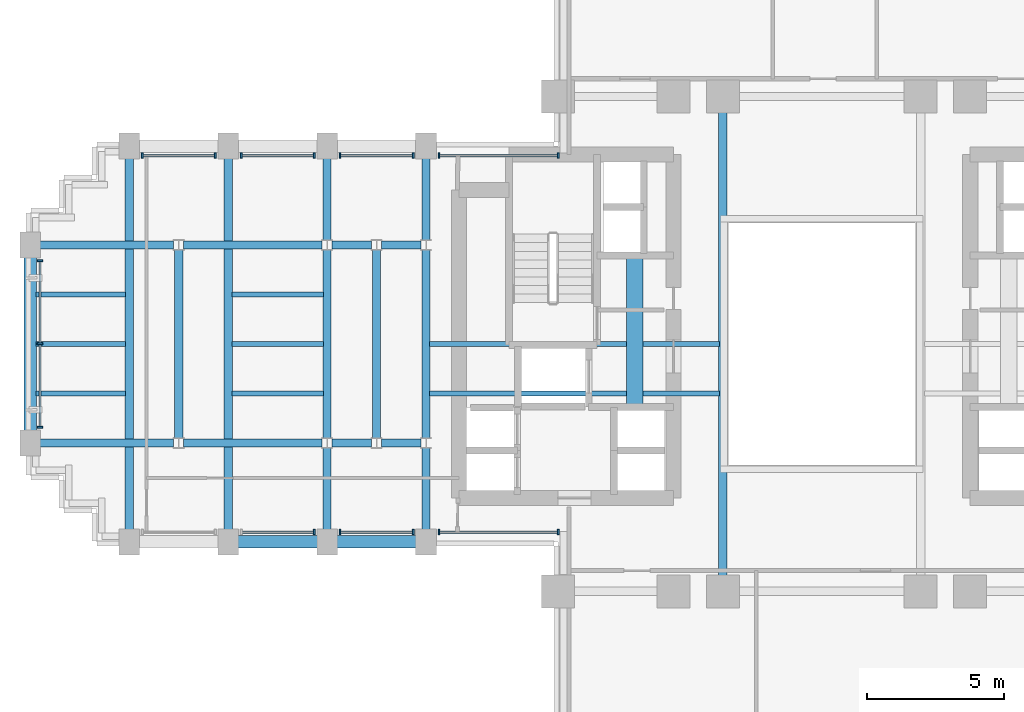
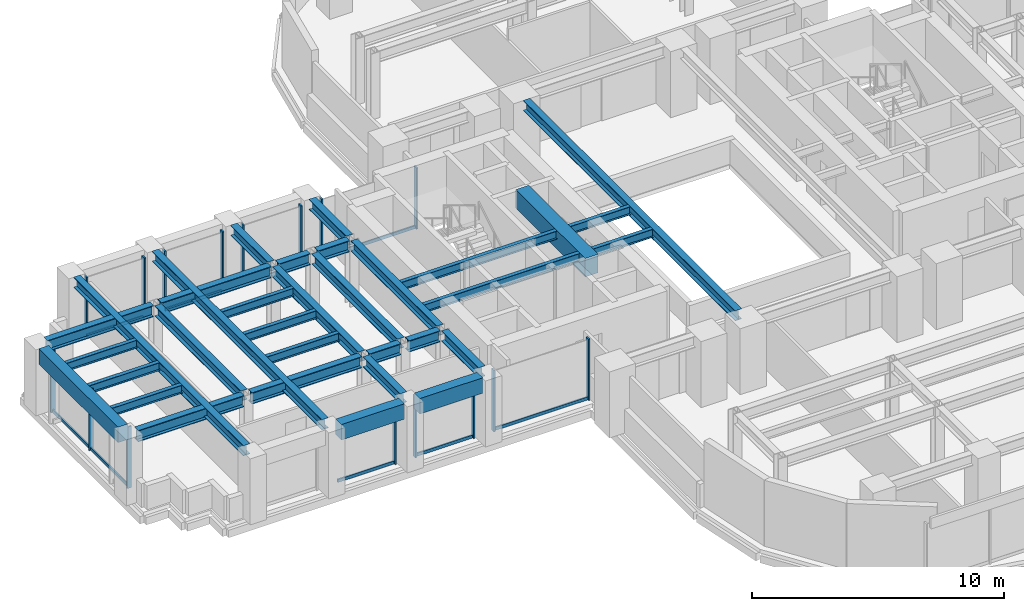
# One storey, part 4 of 16: 31 beams, 25 members, 8 elements without a shape of their own.
"""IFC4 building model written with IfcOpenShell, lengths in metres."""

from ifc_helpers import new_model, si_unit, direction, frame, origin, origin_2d, place, context, subcontext, project, spatial, rectangle, i_section, extrude, source, transform, mapped, material, material_profile, profile_set, type_object, element, aggregate, save


model = new_model("IFC4")

# Units and contexts
model_context = context("Model", 3, precision=1e-05, world=origin(), true_north=direction((0.0, 1.0)))
body_context = subcontext(model_context, "Body", "Model", "MODEL_VIEW")
ifc_project = project(units=[si_unit("LENGTHUNIT", "METRE"), si_unit("AREAUNIT", "SQUARE_METRE"), si_unit("VOLUMEUNIT", "CUBIC_METRE"), si_unit("PLANEANGLEUNIT", "RADIAN"), si_unit("MASSUNIT", "GRAM", prefix="KILO")], contexts=[model_context])

# Site, building, storey
site_placement = place(None, origin())
site = spatial("IfcSite", under=ifc_project, at=site_placement, CompositionType="ELEMENT")
building_placement = place(site_placement, origin())
building = spatial("IfcBuilding", under=site, at=building_placement, Name="Keilestroom Media Tower", CompositionType="ELEMENT")
storey_placement = place(building_placement, frame((0.0, 0.0, 37.39990234375)))
storey = spatial("IfcBuildingStorey", under=building, at=storey_placement, Name="L08", CompositionType="ELEMENT", Elevation=37.39990234375)

# Beams
ifc_material_1 = material(Name="Concrete C70/85", Category="concrete")
ifc_material_profile_1 = material_profile(ifc_material_1, rectangle(XDim=0.60009765625, YDim=0.89990234375, at=origin_2d()), Name="RC 600x900")
ifc_profile_set_1 = profile_set([ifc_material_profile_1], Name="Concrete C70/85")
beam_type_1 = type_object("IfcBeamType", Name="Core-Coupling-Lintel-Beam-RC-600x900", PredefinedType="LINTEL", material=ifc_profile_set_1)
shared_shape_1 = source(origin(), body_context, "Body", "SweptSolid", [
    extrude(rectangle(XDim=0.60009765625, YDim=0.89990234375, at=origin_2d()), origin(), (0.0, 0.0, 1.0), 5.52001953125),
])
beam_1_placement = place(storey_placement, frame((-6.800048828125, -2.300048828125, 2.75), z_axis=(0.0, 1.0, 0.0), x_axis=(-1.0, 0.0, 0.0)))
element("IfcBeam", 1, at=beam_1_placement, inside=storey, type_object=beam_type_1, Name="L08 Beam CLB-1 CLB-L08-W", PredefinedType="LINTEL", context=body_context, shape_type="MappedRepresentation", body=[
    mapped(shared_shape_1, transform((0.0, 0.0, 0.0), x_axis=(1.0, 0.0, 0.0), y_axis=(0.0, 1.0, 0.0), z_axis=(0.0, 0.0, 1.0), scale=1.0)),
])
ifc_material_2 = material(Name="Precast concrete C40/50", Category="concrete")
ifc_material_profile_2 = material_profile(ifc_material_2, rectangle(XDim=0.449951171875, YDim=0.75, at=origin_2d()), Name="PC 450x750")
ifc_profile_set_2 = profile_set([ifc_material_profile_2], Name="Precast concrete C40/50")
beam_type_2 = type_object("IfcBeamType", Name="Perimeter-Spandrel-Beam-PC-450x750", PredefinedType="SPANDREL", material=ifc_profile_set_2)
shared_shape_2 = source(origin(), body_context, "Body", "SweptSolid", [
    extrude(rectangle(XDim=0.449951171875, YDim=0.75, at=origin_2d()), origin(), (0.0, 0.0, 1.0), 6.2900390625),
])
beam_2_placement = place(storey_placement, frame((-28.800048828125, -3.14501953125, 2.8251953125), z_axis=(0.0, 1.0, 0.0), x_axis=(-1.0, 0.0, 0.0)))
element("IfcBeam", 2, at=beam_2_placement, inside=storey, type_object=beam_type_2, Name="L08 Beam SPB-1 BM-L08-NS-051", PredefinedType="SPANDREL", context=body_context, shape_type="MappedRepresentation", body=[
    mapped(shared_shape_2, transform((0.0, 0.0, 0.0), x_axis=(1.0, 0.0, 0.0), y_axis=(0.0, 1.0, 0.0), z_axis=(0.0, 0.0, 1.0), scale=1.0)),
])
shared_shape_3 = source(origin(), body_context, "Body", "SweptSolid", [
    extrude(rectangle(XDim=0.449951171875, YDim=0.75, at=origin_2d()), origin(), (0.0, 0.0, 1.0), 2.89013671875),
])
for number, where, z_axis, x_axis, name in (
    (3, (-21.2451171875, -7.199951171875, 2.8251953125), (1.0, 0.0, 0.0), (0.0, 1.0, 0.0), "L08 Beam SPB-1 BM-L08-EW-013"),
    (4, (-17.64501953125, -7.199951171875, 2.8251953125), (1.0, 0.0, 0.0), (0.0, 1.0, 0.0), "L08 Beam SPB-1 BM-L08-EW-014"),
):
    element("IfcBeam", number, at=place(storey_placement, frame(where, z_axis=z_axis, x_axis=x_axis)), inside=storey, type_object=beam_type_2, Name=name, PredefinedType="SPANDREL", context=body_context, shape_type="MappedRepresentation", body=[
        mapped(shared_shape_3, transform((0.0, 0.0, 0.0), x_axis=(1.0, 0.0, 0.0), y_axis=(0.0, 1.0, 0.0), z_axis=(0.0, 0.0, 1.0), scale=1.0)),
    ])
ifc_material_3 = material(Name="Steel S355", Category="steel")
ifc_material_profile_3 = material_profile(ifc_material_3, i_section(OverallWidth=0.300048828125, OverallDepth=0.550048828125, WebThickness=0.012939453125, FlangeThickness=0.029052734375, at=origin_2d()), Name="HEB 550")
ifc_profile_set_3 = profile_set([ifc_material_profile_3], Name="Steel S355")
beam_type_3 = type_object("IfcBeamType", Name="Primary-Structural-Girder-HEB-550", PredefinedType="BEAM", material=ifc_profile_set_3)
shared_shape_4 = source(origin(), body_context, "Body", "SweptSolid", [
    extrude(i_section(OverallWidth=0.300048828125, OverallDepth=0.550048828125, WebThickness=0.012939453125, FlangeThickness=0.029052734375, at=origin_2d()), origin(), (0.0, 0.0, 1.0), 4.863037109375),
])
for number, where, z_axis, x_axis, name in (
    (5, (-28.445068359375, -3.60009765625, 2.925048828125), (1.0, 0.0, 0.0), (0.0, 1.0, 0.0), "L08 Beam BG-5 BM-L08-EW-018"),
    (6, (-28.445068359375, 3.60009765625, 2.925048828125), (1.0, 0.0, 0.0), (0.0, 1.0, 0.0), "L08 Beam BG-5 BM-L08-EW-026"),
):
    element("IfcBeam", number, at=place(storey_placement, frame(where, z_axis=z_axis, x_axis=x_axis)), inside=storey, type_object=beam_type_3, Name=name, PredefinedType="BEAM", context=body_context, shape_type="MappedRepresentation", body=[
        mapped(shared_shape_4, transform((0.0, 0.0, 0.0), x_axis=(1.0, 0.0, 0.0), y_axis=(0.0, 1.0, 0.0), z_axis=(0.0, 0.0, 1.0), scale=1.0)),
    ])
shared_shape_5 = source(origin(), body_context, "Body", "SweptSolid", [
    extrude(i_section(OverallWidth=0.300048828125, OverallDepth=0.550048828125, WebThickness=0.012939453125, FlangeThickness=0.029052734375, at=origin_2d()), origin(), (0.0, 0.0, 1.0), 5.0361328125),
])
for number, where, z_axis, x_axis, name in (
    (7, (-23.218017578125, -3.60009765625, 2.925048828125), (1.0, 0.0, 0.0), (0.0, 1.0, 0.0), "L08 Beam BG-5 BM-L08-EW-019"),
    (8, (-23.218017578125, 3.60009765625, 2.925048828125), (1.0, 0.0, 0.0), (0.0, 1.0, 0.0), "L08 Beam BG-5 BM-L08-EW-027"),
):
    element("IfcBeam", number, at=place(storey_placement, frame(where, z_axis=z_axis, x_axis=x_axis)), inside=storey, type_object=beam_type_3, Name=name, PredefinedType="BEAM", context=body_context, shape_type="MappedRepresentation", body=[
        mapped(shared_shape_5, transform((0.0, 0.0, 0.0), x_axis=(1.0, 0.0, 0.0), y_axis=(0.0, 1.0, 0.0), z_axis=(0.0, 0.0, 1.0), scale=1.0)),
    ])
shared_shape_6 = source(origin(), body_context, "Body", "SweptSolid", [
    extrude(i_section(OverallWidth=0.300048828125, OverallDepth=0.550048828125, WebThickness=0.012939453125, FlangeThickness=0.029052734375, at=origin_2d()), origin(), (0.0, 0.0, 1.0), 1.43603515625),
])
for number, where, z_axis, x_axis, name in (
    (9, (-17.818115234375, -3.60009765625, 2.925048828125), (1.0, 0.0, 0.0), (0.0, 1.0, 0.0), "L08 Beam BG-5 BM-L08-EW-020"),
    (10, (-16.01806640625, -3.60009765625, 2.925048828125), (1.0, 0.0, 0.0), (0.0, 1.0, 0.0), "L08 Beam BG-5 BM-L08-EW-021"),
    (11, (-17.818115234375, 3.60009765625, 2.925048828125), (1.0, 0.0, 0.0), (0.0, 1.0, 0.0), "L08 Beam BG-5 BM-L08-EW-028"),
    (12, (-16.01806640625, 3.60009765625, 2.925048828125), (1.0, 0.0, 0.0), (0.0, 1.0, 0.0), "L08 Beam BG-5 BM-L08-EW-029"),
):
    element("IfcBeam", number, at=place(storey_placement, frame(where, z_axis=z_axis, x_axis=x_axis)), inside=storey, type_object=beam_type_3, Name=name, PredefinedType="BEAM", context=body_context, shape_type="MappedRepresentation", body=[
        mapped(shared_shape_6, transform((0.0, 0.0, 0.0), x_axis=(1.0, 0.0, 0.0), y_axis=(0.0, 1.0, 0.0), z_axis=(0.0, 0.0, 1.0), scale=1.0)),
    ])
ifc_material_profile_4 = material_profile(ifc_material_3, i_section(OverallWidth=0.300048828125, OverallDepth=0.5, WebThickness=0.012451171875, FlangeThickness=0.028076171875, at=origin_2d()), Name="HEB 500")
ifc_profile_set_4 = profile_set([ifc_material_profile_4], Name="Steel S355")
beam_type_4 = type_object("IfcBeamType", Name="Primary-Structural-Girder-HEB-500", PredefinedType="BEAM", material=ifc_profile_set_4)
shared_shape_7 = source(origin(), body_context, "Body", "SweptSolid", [
    extrude(i_section(OverallWidth=0.300048828125, OverallDepth=0.5, WebThickness=0.012451171875, FlangeThickness=0.028076171875, at=origin_2d()), origin(), (0.0, 0.0, 1.0), 13.490234375),
])
for number, where, z_axis, x_axis, name in (
    (13, (-25.199951171875, -6.7451171875, 2.9501953125), (0.0, 1.0, 0.0), (-1.0, 0.0, 0.0), "L08 Beam BG-6 BM-L08-NS-052"),
    (14, (-21.60009765625, -6.7451171875, 2.9501953125), (0.0, 1.0, 0.0), (-1.0, 0.0, 0.0), "L08 Beam BG-6 BM-L08-NS-054"),
):
    element("IfcBeam", number, at=place(storey_placement, frame(where, z_axis=z_axis, x_axis=x_axis)), inside=storey, type_object=beam_type_4, Name=name, PredefinedType="BEAM", context=body_context, shape_type="MappedRepresentation", body=[
        mapped(shared_shape_7, transform((0.0, 0.0, 0.0), x_axis=(1.0, 0.0, 0.0), y_axis=(0.0, 1.0, 0.0), z_axis=(0.0, 0.0, 1.0), scale=1.0)),
    ])
shared_shape_8 = source(origin(), body_context, "Body", "SweptSolid", [
    extrude(i_section(OverallWidth=0.300048828125, OverallDepth=0.5, WebThickness=0.012451171875, FlangeThickness=0.028076171875, at=origin_2d()), origin(), (0.0, 0.0, 1.0), 6.8330078125),
])
for number, where, z_axis, x_axis, name in (
    (15, (-23.39990234375, -3.41650390625, 2.9501953125), (0.0, 1.0, 0.0), (-1.0, 0.0, 0.0), "L08 Beam BG-6 BM-L08-NS-053"),
    (16, (-18.0, -3.41650390625, 2.9501953125), (0.0, 1.0, 0.0), (-1.0, 0.0, 0.0), "L08 Beam BG-6 BM-L08-NS-056"),
    (17, (-16.199951171875, -3.41650390625, 2.9501953125), (0.0, 1.0, 0.0), (-1.0, 0.0, 0.0), "L08 Beam BG-6 BM-L08-NS-058"),
    (18, (-14.39990234375, -3.41650390625, 2.9501953125), (0.0, 1.0, 0.0), (-1.0, 0.0, 0.0), "L08 Beam BG-6 BM-L08-NS-060"),
):
    element("IfcBeam", number, at=place(storey_placement, frame(where, z_axis=z_axis, x_axis=x_axis)), inside=storey, type_object=beam_type_4, Name=name, PredefinedType="BEAM", context=body_context, shape_type="MappedRepresentation", body=[
        mapped(shared_shape_8, transform((0.0, 0.0, 0.0), x_axis=(1.0, 0.0, 0.0), y_axis=(0.0, 1.0, 0.0), z_axis=(0.0, 0.0, 1.0), scale=1.0)),
    ])
shared_shape_9 = source(origin(), body_context, "Body", "SweptSolid", [
    extrude(i_section(OverallWidth=0.300048828125, OverallDepth=0.5, WebThickness=0.012451171875, FlangeThickness=0.028076171875, at=origin_2d()), origin(), (0.0, 0.0, 1.0), 2.961669921875),
])
for number, where, z_axis, x_axis, name in (
    (19, (-18.0, -6.7451171875, 2.9501953125), (0.0, 1.0, 0.0), (-1.0, 0.0, 0.0), "L08 Beam BG-6 BM-L08-NS-055"),
    (20, (-18.0, 3.783447265625, 2.9501953125), (0.0, 1.0, 0.0), (-1.0, 0.0, 0.0), "L08 Beam BG-6 BM-L08-NS-057"),
    (21, (-14.39990234375, -6.7451171875, 2.9501953125), (0.0, 1.0, 0.0), (-1.0, 0.0, 0.0), "L08 Beam BG-6 BM-L08-NS-059"),
    (22, (-14.39990234375, 3.783447265625, 2.9501953125), (0.0, 1.0, 0.0), (-1.0, 0.0, 0.0), "L08 Beam BG-6 BM-L08-NS-061"),
):
    element("IfcBeam", number, at=place(storey_placement, frame(where, z_axis=z_axis, x_axis=x_axis)), inside=storey, type_object=beam_type_4, Name=name, PredefinedType="BEAM", context=body_context, shape_type="MappedRepresentation", body=[
        mapped(shared_shape_9, transform((0.0, 0.0, 0.0), x_axis=(1.0, 0.0, 0.0), y_axis=(0.0, 1.0, 0.0), z_axis=(0.0, 0.0, 1.0), scale=1.0)),
    ])
shared_shape_10 = source(origin(), body_context, "Body", "SweptSolid", [
    extrude(i_section(OverallWidth=0.300048828125, OverallDepth=0.5, WebThickness=0.012451171875, FlangeThickness=0.028076171875, at=origin_2d()), origin(), (0.0, 0.0, 1.0), 16.83984375),
])
beam_3_placement = place(storey_placement, frame((-3.60009765625, -8.419921875, 2.9501953125), z_axis=(0.0, 1.0, 0.0), x_axis=(-1.0, 0.0, 0.0)))
element("IfcBeam", 23, at=beam_3_placement, inside=storey, type_object=beam_type_4, Name="L08 Beam BG-6 BM-L08-NS-066", PredefinedType="BEAM", context=body_context, shape_type="MappedRepresentation", body=[
    mapped(shared_shape_10, transform((0.0, 0.0, 0.0), x_axis=(1.0, 0.0, 0.0), y_axis=(0.0, 1.0, 0.0), z_axis=(0.0, 0.0, 1.0), scale=1.0)),
])
ifc_material_profile_5 = material_profile(ifc_material_3, i_section(OverallWidth=0.179931640625, OverallDepth=0.39990234375, WebThickness=0.008544921875, FlangeThickness=0.013427734375, at=origin_2d()), Name="IPE 400")
ifc_profile_set_5 = profile_set([ifc_material_profile_5], Name="Steel S355")
beam_type_5 = type_object("IfcBeamType", Name="Secondary-Floor-Joist-IPE-400", PredefinedType="JOIST", material=ifc_profile_set_5)
shared_shape_11 = source(origin(), body_context, "Body", "SweptSolid", [
    extrude(i_section(OverallWidth=0.179931640625, OverallDepth=0.39990234375, WebThickness=0.008544921875, FlangeThickness=0.013427734375, at=origin_2d()), origin(), (0.0, 0.0, 1.0), 3.264892578125),
])
for number, where, z_axis, x_axis, name in (
    (24, (-28.594970703125, -1.800048828125, 3.0), (1.0, 0.0, 0.0), (0.0, 1.0, 0.0), "L08 Beam BJ-4 JST-L08-089"),
    (25, (-28.594970703125, 0.0, 3.0), (1.0, 0.0, 0.0), (0.0, 1.0, 0.0), "L08 Beam BJ-4 JST-L08-096"),
    (26, (-28.594970703125, 1.800048828125, 3.0), (1.0, 0.0, 0.0), (0.0, 1.0, 0.0), "L08 Beam BJ-4 JST-L08-103"),
):
    element("IfcBeam", number, at=place(storey_placement, frame(where, z_axis=z_axis, x_axis=x_axis)), inside=storey, type_object=beam_type_5, Name=name, PredefinedType="JOIST", context=body_context, shape_type="MappedRepresentation", body=[
        mapped(shared_shape_11, transform((0.0, 0.0, 0.0), x_axis=(1.0, 0.0, 0.0), y_axis=(0.0, 1.0, 0.0), z_axis=(0.0, 0.0, 1.0), scale=1.0)),
    ])
shared_shape_12 = source(origin(), body_context, "Body", "SweptSolid", [
    extrude(i_section(OverallWidth=0.179931640625, OverallDepth=0.39990234375, WebThickness=0.008544921875, FlangeThickness=0.013427734375, at=origin_2d()), origin(), (0.0, 0.0, 1.0), 3.340087890625),
])
for number, where, z_axis, x_axis, name in (
    (27, (-21.469970703125, -1.800048828125, 3.0), (1.0, 0.0, 0.0), (0.0, 1.0, 0.0), "L08 Beam BJ-4 JST-L08-090"),
    (28, (-21.469970703125, 0.0, 3.0), (1.0, 0.0, 0.0), (0.0, 1.0, 0.0), "L08 Beam BJ-4 JST-L08-097"),
    (29, (-21.469970703125, 1.800048828125, 3.0), (1.0, 0.0, 0.0), (0.0, 1.0, 0.0), "L08 Beam BJ-4 JST-L08-104"),
):
    element("IfcBeam", number, at=place(storey_placement, frame(where, z_axis=z_axis, x_axis=x_axis)), inside=storey, type_object=beam_type_5, Name=name, PredefinedType="JOIST", context=body_context, shape_type="MappedRepresentation", body=[
        mapped(shared_shape_12, transform((0.0, 0.0, 0.0), x_axis=(1.0, 0.0, 0.0), y_axis=(0.0, 1.0, 0.0), z_axis=(0.0, 0.0, 1.0), scale=1.0)),
    ])
shared_shape_13 = source(origin(), body_context, "Body", "SweptSolid", [
    extrude(i_section(OverallWidth=0.179931640625, OverallDepth=0.39990234375, WebThickness=0.008544921875, FlangeThickness=0.013427734375, at=origin_2d()), origin(), (0.0, 0.0, 1.0), 10.5400390625),
])
for number, where, z_axis, x_axis, name in (
    (30, (-14.27001953125, -1.800048828125, 3.0), (1.0, 0.0, 0.0), (0.0, 1.0, 0.0), "L08 Beam BJ-4 JST-L08-091"),
    (31, (-14.27001953125, 0.0, 3.0), (1.0, 0.0, 0.0), (0.0, 1.0, 0.0), "L08 Beam BJ-4 JST-L08-098"),
):
    element("IfcBeam", number, at=place(storey_placement, frame(where, z_axis=z_axis, x_axis=x_axis)), inside=storey, type_object=beam_type_5, Name=name, PredefinedType="JOIST", context=body_context, shape_type="MappedRepresentation", body=[
        mapped(shared_shape_13, transform((0.0, 0.0, 0.0), x_axis=(1.0, 0.0, 0.0), y_axis=(0.0, 1.0, 0.0), z_axis=(0.0, 0.0, 1.0), scale=1.0)),
    ])

# Curtain wall, members
ifc_material_4 = material(Name="Anodised Aluminium Alloy", Category="aluminium")
curtain_wall_type = type_object("IfcCurtainWallType", Name="Unitised-Curtain-Wall-CW-1", PredefinedType="NOTDEFINED", material=ifc_material_4)
curtain_wall_1_placement = place(storey_placement, origin())
curtain_wall_1 = element("IfcCurtainWall", 32, at=curtain_wall_1_placement, inside=storey, type_object=curtain_wall_type, Name="L08 Curtain Wall CW-1 CW-L08-W-1", PredefinedType="NOTDEFINED")
ifc_material_profile_6 = material_profile(ifc_material_4, rectangle(XDim=0.070068359375, YDim=0.199951171875, at=origin_2d()), Name="ALU MULLION 70x200")
ifc_profile_set_6 = profile_set([ifc_material_profile_6], Name="Anodised Aluminium Alloy")
member_type_1 = type_object("IfcMemberType", Name="Curtain-Wall-Mullion-CW-1", PredefinedType="MULLION", material=ifc_profile_set_6)
shared_shape_14 = source(origin(), body_context, "Body", "SweptSolid", [
    extrude(rectangle(XDim=0.070068359375, YDim=0.199951171875, at=origin_2d()), origin(), (0.0, 0.0, 1.0), 2.97998046875),
])
member_1_placement = place(storey_placement, frame((-28.449951171875, -3.030029296875, 0.0), z_axis=(0.0, 0.0, 1.0), x_axis=(0.0, 1.0, 0.0)))
member_1 = element("IfcMember", 33, at=member_1_placement, type_object=member_type_1, Name="CW-1 Mullion 00", PredefinedType="MULLION", context=body_context, shape_type="MappedRepresentation", body=[
    mapped(shared_shape_14, transform((0.0, 0.0, 0.0), x_axis=(1.0, 0.0, 0.0), y_axis=(0.0, 1.0, 0.0), z_axis=(0.0, 0.0, 1.0), scale=1.0)),
])
member_2_placement = place(storey_placement, frame((-28.449951171875, 0.0, 0.0), z_axis=(0.0, 0.0, 1.0), x_axis=(0.0, 1.0, 0.0)))
member_2 = element("IfcMember", 34, at=member_2_placement, type_object=member_type_1, Name="CW-1 Mullion 01", PredefinedType="MULLION", context=body_context, shape_type="MappedRepresentation", body=[
    mapped(shared_shape_14, transform((0.0, 0.0, 0.0), x_axis=(1.0, 0.0, 0.0), y_axis=(0.0, 1.0, 0.0), z_axis=(0.0, 0.0, 1.0), scale=1.0)),
])
member_3_placement = place(storey_placement, frame((-28.449951171875, 3.030029296875, 0.0), z_axis=(0.0, 0.0, 1.0), x_axis=(0.0, 1.0, 0.0)))
member_3 = element("IfcMember", 35, at=member_3_placement, type_object=member_type_1, Name="CW-1 Mullion 02", PredefinedType="MULLION", context=body_context, shape_type="MappedRepresentation", body=[
    mapped(shared_shape_14, transform((0.0, 0.0, 0.0), x_axis=(1.0, 0.0, 0.0), y_axis=(0.0, 1.0, 0.0), z_axis=(0.0, 0.0, 1.0), scale=1.0)),
])

curtain_wall_2_placement = place(storey_placement, origin())
curtain_wall_2 = element("IfcCurtainWall", 36, at=curtain_wall_2_placement, inside=storey, type_object=curtain_wall_type, Name="L08 Curtain Wall CW-1 CW-L08-NW-1", PredefinedType="NOTDEFINED")
member_4_placement = place(storey_placement, frame((-24.72998046875, 6.85009765625, 0.0), z_axis=(0.0, 0.0, 1.0), x_axis=(1.0, 0.0, 0.0)))
member_4 = element("IfcMember", 37, at=member_4_placement, type_object=member_type_1, Name="CW-1 Mullion 00", PredefinedType="MULLION", context=body_context, shape_type="MappedRepresentation", body=[
    mapped(shared_shape_14, transform((0.0, 0.0, 0.0), x_axis=(1.0, 0.0, 0.0), y_axis=(0.0, 1.0, 0.0), z_axis=(0.0, 0.0, 1.0), scale=1.0)),
])
member_5_placement = place(storey_placement, frame((-22.070068359375, 6.85009765625, 0.0), z_axis=(0.0, 0.0, 1.0), x_axis=(1.0, 0.0, 0.0)))
member_5 = element("IfcMember", 38, at=member_5_placement, type_object=member_type_1, Name="CW-1 Mullion 01", PredefinedType="MULLION", context=body_context, shape_type="MappedRepresentation", body=[
    mapped(shared_shape_14, transform((0.0, 0.0, 0.0), x_axis=(1.0, 0.0, 0.0), y_axis=(0.0, 1.0, 0.0), z_axis=(0.0, 0.0, 1.0), scale=1.0)),
])

curtain_wall_3_placement = place(storey_placement, origin())
curtain_wall_3 = element("IfcCurtainWall", 39, at=curtain_wall_3_placement, inside=storey, type_object=curtain_wall_type, Name="L08 Curtain Wall CW-1 CW-L08-NW-2", PredefinedType="NOTDEFINED")
member_6_placement = place(storey_placement, frame((-21.1298828125, 6.85009765625, 0.0), z_axis=(0.0, 0.0, 1.0), x_axis=(1.0, 0.0, 0.0)))
member_6 = element("IfcMember", 40, at=member_6_placement, type_object=member_type_1, Name="CW-1 Mullion 00", PredefinedType="MULLION", context=body_context, shape_type="MappedRepresentation", body=[
    mapped(shared_shape_14, transform((0.0, 0.0, 0.0), x_axis=(1.0, 0.0, 0.0), y_axis=(0.0, 1.0, 0.0), z_axis=(0.0, 0.0, 1.0), scale=1.0)),
])
member_7_placement = place(storey_placement, frame((-18.469970703125, 6.85009765625, 0.0), z_axis=(0.0, 0.0, 1.0), x_axis=(1.0, 0.0, 0.0)))
member_7 = element("IfcMember", 41, at=member_7_placement, type_object=member_type_1, Name="CW-1 Mullion 01", PredefinedType="MULLION", context=body_context, shape_type="MappedRepresentation", body=[
    mapped(shared_shape_14, transform((0.0, 0.0, 0.0), x_axis=(1.0, 0.0, 0.0), y_axis=(0.0, 1.0, 0.0), z_axis=(0.0, 0.0, 1.0), scale=1.0)),
])

curtain_wall_4_placement = place(storey_placement, origin())
curtain_wall_4 = element("IfcCurtainWall", 42, at=curtain_wall_4_placement, inside=storey, type_object=curtain_wall_type, Name="L08 Curtain Wall CW-1 CW-L08-NW-3", PredefinedType="NOTDEFINED")
member_8_placement = place(storey_placement, frame((-17.530029296875, 6.85009765625, 0.0), z_axis=(0.0, 0.0, 1.0), x_axis=(1.0, 0.0, 0.0)))
member_8 = element("IfcMember", 43, at=member_8_placement, type_object=member_type_1, Name="CW-1 Mullion 00", PredefinedType="MULLION", context=body_context, shape_type="MappedRepresentation", body=[
    mapped(shared_shape_14, transform((0.0, 0.0, 0.0), x_axis=(1.0, 0.0, 0.0), y_axis=(0.0, 1.0, 0.0), z_axis=(0.0, 0.0, 1.0), scale=1.0)),
])
member_9_placement = place(storey_placement, frame((-14.8701171875, 6.85009765625, 0.0), z_axis=(0.0, 0.0, 1.0), x_axis=(1.0, 0.0, 0.0)))
member_9 = element("IfcMember", 44, at=member_9_placement, type_object=member_type_1, Name="CW-1 Mullion 01", PredefinedType="MULLION", context=body_context, shape_type="MappedRepresentation", body=[
    mapped(shared_shape_14, transform((0.0, 0.0, 0.0), x_axis=(1.0, 0.0, 0.0), y_axis=(0.0, 1.0, 0.0), z_axis=(0.0, 0.0, 1.0), scale=1.0)),
])

curtain_wall_5_placement = place(storey_placement, origin())
curtain_wall_5 = element("IfcCurtainWall", 45, at=curtain_wall_5_placement, inside=storey, type_object=curtain_wall_type, Name="L08 Curtain Wall CW-1 CW-L08-NW-4", PredefinedType="NOTDEFINED")
member_10_placement = place(storey_placement, frame((-13.929931640625, 6.85009765625, 0.0), z_axis=(0.0, 0.0, 1.0), x_axis=(1.0, 0.0, 0.0)))
member_10 = element("IfcMember", 46, at=member_10_placement, type_object=member_type_1, Name="CW-1 Mullion 00", PredefinedType="MULLION", context=body_context, shape_type="MappedRepresentation", body=[
    mapped(shared_shape_14, transform((0.0, 0.0, 0.0), x_axis=(1.0, 0.0, 0.0), y_axis=(0.0, 1.0, 0.0), z_axis=(0.0, 0.0, 1.0), scale=1.0)),
])
member_11_placement = place(storey_placement, frame((-9.5849609375, 6.85009765625, 0.0), z_axis=(0.0, 0.0, 1.0), x_axis=(1.0, 0.0, 0.0)))
member_11 = element("IfcMember", 47, at=member_11_placement, type_object=member_type_1, Name="CW-1 Mullion 01", PredefinedType="MULLION", context=body_context, shape_type="MappedRepresentation", body=[
    mapped(shared_shape_14, transform((0.0, 0.0, 0.0), x_axis=(1.0, 0.0, 0.0), y_axis=(0.0, 1.0, 0.0), z_axis=(0.0, 0.0, 1.0), scale=1.0)),
])

# Curtain wall, member
curtain_wall_6_placement = place(storey_placement, origin())
curtain_wall_6 = element("IfcCurtainWall", 48, at=curtain_wall_6_placement, inside=storey, type_object=curtain_wall_type, Name="L08 Curtain Wall CW-1 CW-L08-SW-2", PredefinedType="NOTDEFINED")
member_12_placement = place(storey_placement, frame((-18.469970703125, -6.85009765625, 0.0), z_axis=(0.0, 0.0, 1.0), x_axis=(1.0, 0.0, 0.0)))
member_12 = element("IfcMember", 49, at=member_12_placement, type_object=member_type_1, Name="CW-1 Mullion 01", PredefinedType="MULLION", context=body_context, shape_type="MappedRepresentation", body=[
    mapped(shared_shape_14, transform((0.0, 0.0, 0.0), x_axis=(1.0, 0.0, 0.0), y_axis=(0.0, 1.0, 0.0), z_axis=(0.0, 0.0, 1.0), scale=1.0)),
])

# Curtain wall, members
curtain_wall_7_placement = place(storey_placement, origin())
curtain_wall_7 = element("IfcCurtainWall", 50, at=curtain_wall_7_placement, inside=storey, type_object=curtain_wall_type, Name="L08 Curtain Wall CW-1 CW-L08-SW-3", PredefinedType="NOTDEFINED")
member_13_placement = place(storey_placement, frame((-17.530029296875, -6.85009765625, 0.0), z_axis=(0.0, 0.0, 1.0), x_axis=(1.0, 0.0, 0.0)))
member_13 = element("IfcMember", 51, at=member_13_placement, type_object=member_type_1, Name="CW-1 Mullion 00", PredefinedType="MULLION", context=body_context, shape_type="MappedRepresentation", body=[
    mapped(shared_shape_14, transform((0.0, 0.0, 0.0), x_axis=(1.0, 0.0, 0.0), y_axis=(0.0, 1.0, 0.0), z_axis=(0.0, 0.0, 1.0), scale=1.0)),
])
member_14_placement = place(storey_placement, frame((-14.8701171875, -6.85009765625, 0.0), z_axis=(0.0, 0.0, 1.0), x_axis=(1.0, 0.0, 0.0)))
member_14 = element("IfcMember", 52, at=member_14_placement, type_object=member_type_1, Name="CW-1 Mullion 01", PredefinedType="MULLION", context=body_context, shape_type="MappedRepresentation", body=[
    mapped(shared_shape_14, transform((0.0, 0.0, 0.0), x_axis=(1.0, 0.0, 0.0), y_axis=(0.0, 1.0, 0.0), z_axis=(0.0, 0.0, 1.0), scale=1.0)),
])

curtain_wall_8_placement = place(storey_placement, origin())
curtain_wall_8 = element("IfcCurtainWall", 53, at=curtain_wall_8_placement, inside=storey, type_object=curtain_wall_type, Name="L08 Curtain Wall CW-1 CW-L08-SW-4", PredefinedType="NOTDEFINED")
member_15_placement = place(storey_placement, frame((-13.929931640625, -6.85009765625, 0.0), z_axis=(0.0, 0.0, 1.0), x_axis=(1.0, 0.0, 0.0)))
member_15 = element("IfcMember", 54, at=member_15_placement, type_object=member_type_1, Name="CW-1 Mullion 00", PredefinedType="MULLION", context=body_context, shape_type="MappedRepresentation", body=[
    mapped(shared_shape_14, transform((0.0, 0.0, 0.0), x_axis=(1.0, 0.0, 0.0), y_axis=(0.0, 1.0, 0.0), z_axis=(0.0, 0.0, 1.0), scale=1.0)),
])
member_16_placement = place(storey_placement, frame((-9.5849609375, -6.85009765625, 0.0), z_axis=(0.0, 0.0, 1.0), x_axis=(1.0, 0.0, 0.0)))
member_16 = element("IfcMember", 55, at=member_16_placement, type_object=member_type_1, Name="CW-1 Mullion 01", PredefinedType="MULLION", context=body_context, shape_type="MappedRepresentation", body=[
    mapped(shared_shape_14, transform((0.0, 0.0, 0.0), x_axis=(1.0, 0.0, 0.0), y_axis=(0.0, 1.0, 0.0), z_axis=(0.0, 0.0, 1.0), scale=1.0)),
])

# Member
ifc_material_profile_7 = material_profile(ifc_material_4, rectangle(XDim=0.06494140625, YDim=0.14990234375, at=origin_2d()), Name="ALU TRANSOM 65x150")
ifc_profile_set_7 = profile_set([ifc_material_profile_7], Name="Anodised Aluminium Alloy")
member_type_2 = type_object("IfcMemberType", Name="Curtain-Wall-Transom-CW-1", PredefinedType="USERDEFINED", material=ifc_profile_set_7)
shared_shape_15 = source(origin(), body_context, "Body", "SweptSolid", [
    extrude(rectangle(XDim=0.06494140625, YDim=0.14990234375, at=origin_2d()), origin(), (0.0, 0.0, 1.0), 2.964111328125),
])
member_17_placement = place(storey_placement, frame((-28.449951171875, -2.9970703125, 0.0751953125), z_axis=(0.0, 1.0, 0.0), x_axis=(-1.0, 0.0, 0.0)))
member_17 = element("IfcMember", 56, at=member_17_placement, type_object=member_type_2, Name="CW-1 Transom 00.1", ObjectType="TRANSOM", PredefinedType="USERDEFINED", context=body_context, shape_type="MappedRepresentation", body=[
    mapped(shared_shape_15, transform((0.0, 0.0, 0.0), x_axis=(1.0, 0.0, 0.0), y_axis=(0.0, 1.0, 0.0), z_axis=(0.0, 0.0, 1.0), scale=1.0)),
])

member_18_placement = place(storey_placement, frame((-28.449951171875, 0.032958984375, 0.0751953125), z_axis=(0.0, 1.0, 0.0), x_axis=(-1.0, 0.0, 0.0)))
member_18 = element("IfcMember", 57, at=member_18_placement, type_object=member_type_2, Name="CW-1 Transom 01.1", ObjectType="TRANSOM", PredefinedType="USERDEFINED", context=body_context, shape_type="MappedRepresentation", body=[
    mapped(shared_shape_15, transform((0.0, 0.0, 0.0), x_axis=(1.0, 0.0, 0.0), y_axis=(0.0, 1.0, 0.0), z_axis=(0.0, 0.0, 1.0), scale=1.0)),
])

aggregate(curtain_wall_1, [member_1, member_2, member_3, member_17, member_18])

shared_shape_16 = source(origin(), body_context, "Body", "SweptSolid", [
    extrude(rectangle(XDim=0.06494140625, YDim=0.14990234375, at=origin_2d()), origin(), (0.0, 0.0, 1.0), 2.593994140625),
])
member_19_placement = place(storey_placement, frame((-24.697021484375, 6.85009765625, 0.0751953125), z_axis=(1.0, 0.0, 0.0), x_axis=(0.0, 1.0, 0.0)))
member_19 = element("IfcMember", 58, at=member_19_placement, type_object=member_type_2, Name="CW-1 Transom 00.1", ObjectType="TRANSOM", PredefinedType="USERDEFINED", context=body_context, shape_type="MappedRepresentation", body=[
    mapped(shared_shape_16, transform((0.0, 0.0, 0.0), x_axis=(1.0, 0.0, 0.0), y_axis=(0.0, 1.0, 0.0), z_axis=(0.0, 0.0, 1.0), scale=1.0)),
])

aggregate(curtain_wall_2, [member_4, member_5, member_19])

member_20_placement = place(storey_placement, frame((-21.096923828125, 6.85009765625, 0.0751953125), z_axis=(1.0, 0.0, 0.0), x_axis=(0.0, 1.0, 0.0)))
member_20 = element("IfcMember", 59, at=member_20_placement, type_object=member_type_2, Name="CW-1 Transom 00.1", ObjectType="TRANSOM", PredefinedType="USERDEFINED", context=body_context, shape_type="MappedRepresentation", body=[
    mapped(shared_shape_16, transform((0.0, 0.0, 0.0), x_axis=(1.0, 0.0, 0.0), y_axis=(0.0, 1.0, 0.0), z_axis=(0.0, 0.0, 1.0), scale=1.0)),
])

aggregate(curtain_wall_3, [member_6, member_7, member_20])

member_21_placement = place(storey_placement, frame((-17.4970703125, 6.85009765625, 0.0751953125), z_axis=(1.0, 0.0, 0.0), x_axis=(0.0, 1.0, 0.0)))
member_21 = element("IfcMember", 60, at=member_21_placement, type_object=member_type_2, Name="CW-1 Transom 00.1", ObjectType="TRANSOM", PredefinedType="USERDEFINED", context=body_context, shape_type="MappedRepresentation", body=[
    mapped(shared_shape_16, transform((0.0, 0.0, 0.0), x_axis=(1.0, 0.0, 0.0), y_axis=(0.0, 1.0, 0.0), z_axis=(0.0, 0.0, 1.0), scale=1.0)),
])

aggregate(curtain_wall_4, [member_8, member_9, member_21])

member_22_placement = place(storey_placement, frame((-21.096923828125, -6.85009765625, 0.0751953125), z_axis=(1.0, 0.0, 0.0), x_axis=(0.0, 1.0, 0.0)))
member_22 = element("IfcMember", 61, at=member_22_placement, type_object=member_type_2, Name="CW-1 Transom 00.1", ObjectType="TRANSOM", PredefinedType="USERDEFINED", context=body_context, shape_type="MappedRepresentation", body=[
    mapped(shared_shape_16, transform((0.0, 0.0, 0.0), x_axis=(1.0, 0.0, 0.0), y_axis=(0.0, 1.0, 0.0), z_axis=(0.0, 0.0, 1.0), scale=1.0)),
])

aggregate(curtain_wall_6, [member_12, member_22])

member_23_placement = place(storey_placement, frame((-17.4970703125, -6.85009765625, 0.0751953125), z_axis=(1.0, 0.0, 0.0), x_axis=(0.0, 1.0, 0.0)))
member_23 = element("IfcMember", 62, at=member_23_placement, type_object=member_type_2, Name="CW-1 Transom 00.1", ObjectType="TRANSOM", PredefinedType="USERDEFINED", context=body_context, shape_type="MappedRepresentation", body=[
    mapped(shared_shape_16, transform((0.0, 0.0, 0.0), x_axis=(1.0, 0.0, 0.0), y_axis=(0.0, 1.0, 0.0), z_axis=(0.0, 0.0, 1.0), scale=1.0)),
])

aggregate(curtain_wall_7, [member_13, member_14, member_23])

shared_shape_17 = source(origin(), body_context, "Body", "SweptSolid", [
    extrude(rectangle(XDim=0.06494140625, YDim=0.14990234375, at=origin_2d()), origin(), (0.0, 0.0, 1.0), 4.279052734375),
])
member_24_placement = place(storey_placement, frame((-13.89697265625, 6.85009765625, 0.0751953125), z_axis=(1.0, 0.0, 0.0), x_axis=(0.0, 1.0, 0.0)))
member_24 = element("IfcMember", 63, at=member_24_placement, type_object=member_type_2, Name="CW-1 Transom 00.1", ObjectType="TRANSOM", PredefinedType="USERDEFINED", context=body_context, shape_type="MappedRepresentation", body=[
    mapped(shared_shape_17, transform((0.0, 0.0, 0.0), x_axis=(1.0, 0.0, 0.0), y_axis=(0.0, 1.0, 0.0), z_axis=(0.0, 0.0, 1.0), scale=1.0)),
])

aggregate(curtain_wall_5, [member_10, member_11, member_24])

member_25_placement = place(storey_placement, frame((-13.89697265625, -6.85009765625, 0.0751953125), z_axis=(1.0, 0.0, 0.0), x_axis=(0.0, 1.0, 0.0)))
member_25 = element("IfcMember", 64, at=member_25_placement, type_object=member_type_2, Name="CW-1 Transom 00.1", ObjectType="TRANSOM", PredefinedType="USERDEFINED", context=body_context, shape_type="MappedRepresentation", body=[
    mapped(shared_shape_17, transform((0.0, 0.0, 0.0), x_axis=(1.0, 0.0, 0.0), y_axis=(0.0, 1.0, 0.0), z_axis=(0.0, 0.0, 1.0), scale=1.0)),
])

aggregate(curtain_wall_8, [member_15, member_16, member_25])

save(model, "model.ifc")
